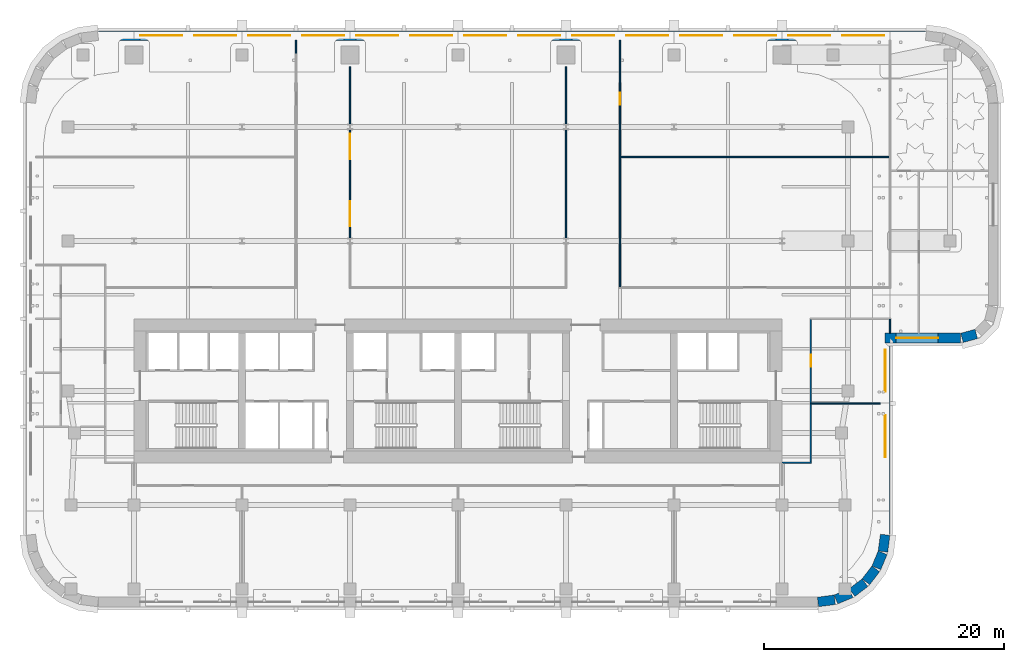
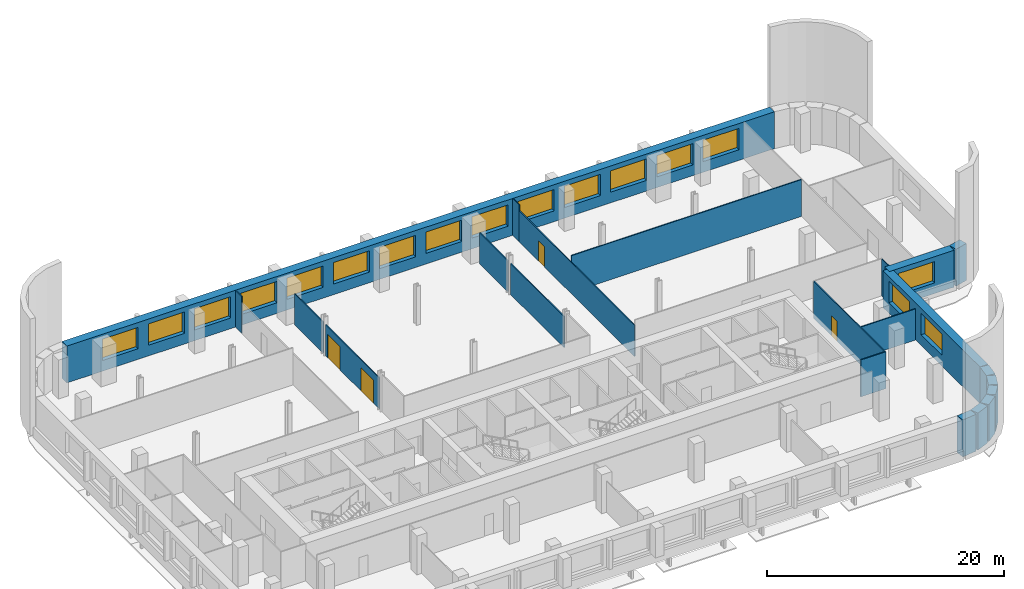
# One storey, part 6 of 13: 22 walls, 17 windows, 4 doors, 21 openings.
"""IFC4 building model written with IfcOpenShell, lengths in metres."""

import ifcopenshell
import ifcopenshell.guid

model = None  # the IFC model being written
_history = None  # IfcOwnerHistory: only IFC2X3 demands one
_inside = {}  # id of a spatial element -> (the spatial element, [elements in it])
_under = {}  # id of a project, library or spatial element -> (it, [spatial elements below it])
_declared = {}  # id of a project -> (the project, [libraries it declares])
_typed = {}  # id of a type object -> (the type object, [elements of that type])
_made_of = {}  # id of a material, layer set ... -> (it, [elements and type objects made of it])


def new_model(schema):
    """Start an empty IFC model of exactly this schema.

    Asked for "IFC4X3", IfcOpenShell would pick the latest addendum, in which some entities
    have other attributes; the version numbers below select the first issue.
    IFC2X3 requires an IfcOwnerHistory on every rooted entity: one is made here for all.
    """
    global model, _history
    if schema == "IFC4X3":
        model = ifcopenshell.file(schema_version=(4, 3, 0, 0))
    else:
        model = ifcopenshell.file(schema=schema)
    _inside.clear()
    _under.clear()
    _declared.clear()
    _typed.clear()
    _made_of.clear()
    _history = None
    if model.schema == "IFC2X3":
        org = make("IfcOrganization", Name="unknown")
        user = make(
            "IfcPersonAndOrganization",
            ThePerson=make("IfcPerson", FamilyName="unknown"),
            TheOrganization=org,
        )
        app = make(
            "IfcApplication",
            ApplicationDeveloper=org,
            Version="unknown",
            ApplicationFullName="unknown",
            ApplicationIdentifier="unknown",
        )
        _history = make(
            "IfcOwnerHistory",
            OwningUser=user,
            OwningApplication=app,
            ChangeAction="ADDED",
            CreationDate=0,
        )
    return model


def make(cls, **values):
    """One entity of the class cls with the attributes given. An attribute that is None is left unset."""
    return model.create_entity(
        cls, **{name: value for name, value in values.items() if value is not None}
    )


def rooted(cls, **values):
    """An entity with a GlobalId (a new one), such as an element, a storey or a relation."""
    return make(cls, GlobalId=ifcopenshell.guid.new(), OwnerHistory=_history, **values)


def si_unit(unit_type, name, prefix=None):
    """IfcSIUnit, for example si_unit("LENGTHUNIT", "METRE", prefix="MILLI")."""
    return make("IfcSIUnit", UnitType=unit_type, Prefix=prefix, Name=name)


def assignment(units):
    """IfcUnitAssignment: the units of a project."""
    return None if units is None else make("IfcUnitAssignment", Units=units)


def point(xyz):
    """IfcCartesianPoint."""
    return None if xyz is None else make("IfcCartesianPoint", Coordinates=xyz)


def direction(xyz):
    """IfcDirection."""
    return None if xyz is None else make("IfcDirection", DirectionRatios=xyz)


def frame(location, z_axis=None, x_axis=None):
    """IfcAxis2Placement3D, a coordinate frame: its origin and axes. An axis left out is left unset."""
    return make(
        "IfcAxis2Placement3D",
        Location=point(location),
        Axis=direction(z_axis),
        RefDirection=direction(x_axis),
    )


def frame_2d(location, x_axis=None):
    """IfcAxis2Placement2D, a coordinate frame in the plane: its origin and x axis."""
    return make(
        "IfcAxis2Placement2D", Location=point(location), RefDirection=direction(x_axis)
    )


def origin():
    """The frame at (0, 0, 0) with its axes left unset."""
    return frame((0.0, 0.0, 0.0))


def place(relative_to, where):
    """IfcLocalPlacement: puts the frame where relative to a parent placement (None: the world)."""
    return make(
        "IfcLocalPlacement", PlacementRelTo=relative_to, RelativePlacement=where
    )


def context(
    kind, dimensions, precision=None, world=None, true_north=None, identifier=None
):
    """IfcGeometricRepresentationContext, for example the 3D "Model" context."""
    return make(
        "IfcGeometricRepresentationContext",
        ContextIdentifier=identifier,
        ContextType=kind,
        CoordinateSpaceDimension=dimensions,
        Precision=precision,
        WorldCoordinateSystem=world,
        TrueNorth=true_north,
    )


def subcontext(parent, identifier, kind, view, scale=None):
    """IfcGeometricRepresentationSubContext, for example "Body" below "Model"."""
    return make(
        "IfcGeometricRepresentationSubContext",
        ContextIdentifier=identifier,
        ContextType=kind,
        ParentContext=parent,
        TargetScale=scale,
        TargetView=view,
    )


def project(units=None, contexts=None):
    """IfcProject with its units and contexts."""
    return rooted(
        "IfcProject",
        Name="project",
        RepresentationContexts=contexts,
        UnitsInContext=assignment(units),
    )


def spatial(cls, under=None, at=None, **own):
    """A site, building, storey or space (cls), placed at a placement, below another one or the project."""
    s = rooted(cls, ObjectPlacement=at, **own)
    if under is not None:
        _under.setdefault(under.id(), (under, []))[1].append(s)
    return s


def profile(cls, at=None, kind="AREA", **sizes):
    """A parametric profile (cls). Its sizes go by their IFC names, for example OverallWidth=200.0."""
    return make(cls, ProfileType=kind, Position=at, **sizes)


def rectangle(**sizes):
    """IfcRectangleProfileDef."""
    return profile("IfcRectangleProfileDef", **sizes)


def extrude(swept, where, along, depth):
    """IfcExtrudedAreaSolid: the profile swept, set in the frame where, extruded along a direction by depth."""
    return make(
        "IfcExtrudedAreaSolid",
        SweptArea=swept,
        Position=where,
        ExtrudedDirection=direction(along),
        Depth=depth,
    )


def shape(context_of_items, identifier, shape_type, items):
    """IfcShapeRepresentation: the items that make up one representation, for example the "Body"."""
    return make(
        "IfcShapeRepresentation",
        ContextOfItems=context_of_items,
        RepresentationIdentifier=identifier,
        RepresentationType=shape_type,
        Items=items,
    )


def material(Name=None, Category=None):
    """IfcMaterial."""
    return make("IfcMaterial", Name=Name, Category=Category)


def layer(
    of_material, thickness, ventilated=None, Name=None, Category=None, Priority=None
):
    """IfcMaterialLayer: one layer of a wall or slab, of a material (None: an air gap)."""
    return make(
        "IfcMaterialLayer",
        Material=of_material,
        LayerThickness=thickness,
        IsVentilated=ventilated,
        Name=Name,
        Category=Category,
        Priority=Priority,
    )


def layer_set(layers, Name=None):
    """IfcMaterialLayerSet."""
    return make("IfcMaterialLayerSet", MaterialLayers=layers, LayerSetName=Name)


def made_of(thing, what):
    """Note that an element or type object is made of a material, layer set ...; save() writes the relation."""
    if what is not None:
        _made_of.setdefault(what.id(), (what, []))[1].append(thing)
    return thing


def type_object(cls, material=None, **own):
    """A type object (cls), such as IfcWallType, which elements share."""
    return made_of(rooted(cls, **own), material)


def element(
    cls,
    number,
    at=None,
    inside=None,
    cuts=None,
    type_object=None,
    material=None,
    context=None,
    identifier="Body",
    shape_type=None,
    held_by="IfcProductDefinitionShape",
    body=None,
    shapes=None,
    **own,
):
    """One element of the class cls, such as IfcWall. Its Tag is "e" and its number.

    at: its placement. inside: the storey or other place that contains it. cuts: it is an
    opening in that element (IfcRelVoidsElement). A single representation is given by context,
    identifier, shape_type and body (its items); several are given by shapes. held_by: the class
    of the entity that holds the representations. save() writes the other relations.
    """
    e = rooted(cls, Tag="e%d" % number, ObjectPlacement=at, **own)
    if body is not None:
        shapes = [shape(context, identifier, shape_type, body)]
    if shapes is not None:
        e.Representation = make(held_by, Representations=shapes)
    if inside is not None:
        _inside.setdefault(inside.id(), (inside, []))[1].append(e)
    if cuts is not None:
        rooted(
            "IfcRelVoidsElement", RelatingBuildingElement=cuts, RelatedOpeningElement=e
        )
    if type_object is not None:
        _typed.setdefault(type_object.id(), (type_object, []))[1].append(e)
    return made_of(e, material)


def fill(opening, filler):
    """IfcRelFillsElement: the door or window that sits in an opening."""
    return rooted(
        "IfcRelFillsElement",
        RelatingOpeningElement=opening,
        RelatedBuildingElement=filler,
    )


def aggregate(whole, parts):
    """IfcRelAggregates: a whole, such as a stair, and the parts it consists of."""
    return rooted("IfcRelAggregates", RelatingObject=whole, RelatedObjects=parts)


def save(model, path):
    """Write the relations noted so far, then the file.

    IfcRelAggregates (storeys below a building ...), IfcRelContainedInSpatialStructure (elements
    in a storey), IfcRelDefinesByType, IfcRelAssociatesMaterial and IfcRelDeclares: one each for
    every whole, place, type object, material and project.
    """
    for whole, parts in _under.values():
        aggregate(whole, parts)
    for where, things in _inside.values():
        rooted(
            "IfcRelContainedInSpatialStructure",
            RelatedElements=things,
            RelatingStructure=where,
        )
    for kind, things in _typed.values():
        rooted("IfcRelDefinesByType", RelatedObjects=things, RelatingType=kind)
    for what, things in _made_of.values():
        rooted("IfcRelAssociatesMaterial", RelatedObjects=things, RelatingMaterial=what)
    for by, libraries in _declared.values():
        rooted("IfcRelDeclares", RelatingContext=by, RelatedDefinitions=libraries)
    model.write(path)


model = new_model("IFC4")

# Units and contexts
model_context = context("Model", 3, precision=1e-05, world=origin(), true_north=direction((0.0, 1.0)))
body_context = subcontext(model_context, "Body", "Model", "MODEL_VIEW")
ifc_project = project(units=[si_unit("LENGTHUNIT", "METRE"), si_unit("AREAUNIT", "SQUARE_METRE"), si_unit("VOLUMEUNIT", "CUBIC_METRE"), si_unit("PLANEANGLEUNIT", "RADIAN"), si_unit("MASSUNIT", "GRAM", prefix="KILO")], contexts=[model_context])

# Site, building, storey
site_placement = place(None, origin())
site = spatial("IfcSite", under=ifc_project, at=site_placement, CompositionType="ELEMENT")
building_placement = place(site_placement, origin())
building = spatial("IfcBuilding", under=site, at=building_placement, Name="Zellij Exchange Tower", CompositionType="ELEMENT")
storey_placement = place(building_placement, frame((0.0, 0.0, 108.5)))
storey = spatial("IfcBuildingStorey", under=building, at=storey_placement, Name="L23", CompositionType="ELEMENT", Elevation=108.5)

# Walls
ifc_material_1 = material(Name="Precast concrete C40/50", Category="concrete")
ifc_layer_1 = layer(ifc_material_1, 0.800048828125)
ifc_layer_set_1 = layer_set([ifc_layer_1], Name="Precast concrete C40/50")
wall_type_1 = type_object("IfcWallType", Name="ENV-EW1 Precast stone-piered wall 800", PredefinedType="SOLIDWALL", material=ifc_layer_set_1)
wall_1_placement = place(storey_placement, frame((29.999755859375, -25.5966796875, 0.0), z_axis=(0.0, 0.0, 1.0), x_axis=(0.99144603414, 0.130517283865, 0.0)))
element("IfcWall", 1, at=wall_1_placement, inside=storey, type_object=wall_type_1, Name="fac.L23.01", PredefinedType="SOLIDWALL", context=body_context, shape_type="SweptSolid", body=[
    extrude(rectangle(XDim=1.408447265625, YDim=0.800048828125, at=frame_2d((0.7041015625, 0.0))), origin(), (0.0, 0.0, 1.0), 3.800048828125),
])
wall_2_placement = place(storey_placement, frame((31.497314453125, -25.3857421875, 0.0), z_axis=(0.0, 0.0, 1.0), x_axis=(0.923847774587, 0.38276009378, 0.0)))
element("IfcWall", 2, at=wall_2_placement, inside=storey, type_object=wall_type_1, Name="fac.L23.02", PredefinedType="SOLIDWALL", context=body_context, shape_type="SweptSolid", body=[
    extrude(rectangle(XDim=1.35546875, YDim=0.800048828125, at=frame_2d((0.677734375, 0.0))), origin(), (0.0, 0.0, 1.0), 3.800048828125),
])
for number, where, z_axis, x_axis, name in (
    (3, (32.840087890625, -24.814697265625, 0.0), (0.0, 0.0, 1.0), (0.793272915452, 0.608866226366, 0.0), "fac.L23.03"),
    (4, (33.9892578125, -23.91552734375, 0.0), (0.0, 0.0, 1.0), (0.608866226366, 0.793272915452, 0.0), "fac.L23.04"),
):
    element("IfcWall", number, at=place(storey_placement, frame(where, z_axis=z_axis, x_axis=x_axis)), inside=storey, type_object=wall_type_1, Name=name, PredefinedType="SOLIDWALL", context=body_context, shape_type="SweptSolid", body=[
        extrude(rectangle(XDim=1.355712890625, YDim=0.800048828125, at=frame_2d((0.677734375, 0.0))), origin(), (0.0, 0.0, 1.0), 3.800048828125),
    ])
wall_3_placement = place(storey_placement, frame((34.866943359375, -22.74951171875, 0.0), z_axis=(0.0, 0.0, 1.0), x_axis=(0.38276009378, 0.923847774587, 0.0)))
element("IfcWall", 5, at=wall_3_placement, inside=storey, type_object=wall_type_1, Name="fac.L23.05", PredefinedType="SOLIDWALL", context=body_context, shape_type="SweptSolid", body=[
    extrude(rectangle(XDim=1.35546875, YDim=0.800048828125, at=frame_2d((0.677734375, 0.0))), origin(), (0.0, 0.0, 1.0), 3.800048828125),
])
wall_4_placement = place(storey_placement, frame((35.412841796875, -21.396240234375, 0.0), z_axis=(0.0, 0.0, 1.0), x_axis=(0.130517283865, 0.99144603414, 0.0)))
element("IfcWall", 6, at=wall_4_placement, inside=storey, type_object=wall_type_1, Name="fac.L23.06", PredefinedType="SOLIDWALL", context=body_context, shape_type="SweptSolid", body=[
    extrude(rectangle(XDim=1.408447265625, YDim=0.800048828125, at=frame_2d((0.7041015625, 0.0))), origin(), (0.0, 0.0, 1.0), 3.800048828125),
])

# Wall, openings, windows
wall_5_placement = place(storey_placement, frame((35.60009765625, -19.947509765625, 0.0), z_axis=(0.0, 0.0, 1.0), x_axis=(0.0, 1.0, 0.0)))
wall_5 = element("IfcWall", 7, at=wall_5_placement, inside=storey, type_object=wall_type_1, Name="fac.L23.07", PredefinedType="SOLIDWALL", context=body_context, shape_type="SweptSolid", body=[
    extrude(rectangle(XDim=16.347412109375, YDim=0.800048828125, at=frame_2d((8.173828125, 0.0))), origin(), (0.0, 0.0, 1.0), 3.800048828125),
])
opening_1_placement = place(wall_5_placement, frame((6.41064453125, 0.0, 1.10009765625)))
opening_1 = element("IfcOpeningElement", 8, at=opening_1_placement, cuts=wall_5, Name="Opening FZ2.13", PredefinedType="OPENING", context=body_context, shape_type="SweptSolid", body=[
    extrude(rectangle(XDim=3.5, YDim=2.199951171875, at=frame_2d((1.75, 1.10009765625))), frame((0.0, 0.412109375, 0.0), z_axis=(0.0, -1.0, 0.0), x_axis=(1.0, 0.0, 0.0)), (0.0, 0.0, 1.0), 0.823974609375),
])
opening_2_placement = place(wall_5_placement, frame((11.86865234375, 0.0, 1.10009765625)))
opening_2 = element("IfcOpeningElement", 9, at=opening_2_placement, cuts=wall_5, Name="Opening FZ2.14", PredefinedType="OPENING", context=body_context, shape_type="SweptSolid", body=[
    extrude(rectangle(XDim=3.5, YDim=2.199951171875, at=frame_2d((1.75, 1.10009765625))), frame((0.0, 0.412109375, 0.0), z_axis=(0.0, -1.0, 0.0), x_axis=(1.0, 0.0, 0.0)), (0.0, 0.0, 1.0), 0.823974609375),
])
ifc_material_2 = material(Name="Aluminium frame with insulating glass", Category="aluminium")
window_type = type_object("IfcWindowType", Name="ENV-W7 Window 3500x2200", PartitioningType="SINGLE_PANEL", PredefinedType="WINDOW", material=ifc_material_2)
window_1_placement = place(opening_1_placement, origin())
window_1 = element("IfcWindow", 10, at=window_1_placement, inside=storey, type_object=window_type, Name="Window FZ2.13", OverallHeight=2.199951171875, OverallWidth=3.5, PartitioningType="SINGLE_PANEL", PredefinedType="WINDOW", context=body_context, shape_type="SweptSolid", body=[
    extrude(rectangle(XDim=3.5, YDim=2.199951171875, at=frame_2d((1.75, 1.10009765625))), frame((0.0, 0.030029296875, 0.0), z_axis=(0.0, -1.0, 0.0), x_axis=(1.0, 0.0, 0.0)), (0.0, 0.0, 1.0), 0.06005859375),
])
fill(opening_1, window_1)
window_2_placement = place(opening_2_placement, origin())
window_2 = element("IfcWindow", 11, at=window_2_placement, inside=storey, type_object=window_type, Name="Window FZ2.14", OverallHeight=2.199951171875, OverallWidth=3.5, PartitioningType="SINGLE_PANEL", PredefinedType="WINDOW", context=body_context, shape_type="SweptSolid", body=[
    extrude(rectangle(XDim=3.5, YDim=2.199951171875, at=frame_2d((1.75, 1.10009765625))), frame((0.0, 0.030029296875, 0.0), z_axis=(0.0, -1.0, 0.0), x_axis=(1.0, 0.0, 0.0)), (0.0, 0.0, 1.0), 0.06005859375),
])
fill(opening_2, window_2)

# Wall, opening, window
wall_6_placement = place(storey_placement, frame((35.60009765625, -3.60009765625, 0.0), z_axis=(0.0, 0.0, 1.0), x_axis=(1.0, 0.0, 0.0)))
wall_6 = element("IfcWall", 12, at=wall_6_placement, inside=storey, type_object=wall_type_1, Name="fac.L23.08", PredefinedType="SOLIDWALL", context=body_context, shape_type="SweptSolid", body=[
    extrude(rectangle(XDim=6.29443359375, YDim=0.800048828125, at=frame_2d((3.147216796875, 0.0))), origin(), (0.0, 0.0, 1.0), 3.800048828125),
])
opening_3_placement = place(wall_6_placement, frame((0.89990234375, 0.0, 1.10009765625)))
opening_3 = element("IfcOpeningElement", 13, at=opening_3_placement, cuts=wall_6, Name="Opening FZ2.15", PredefinedType="OPENING", context=body_context, shape_type="SweptSolid", body=[
    extrude(rectangle(XDim=3.5, YDim=2.199951171875, at=frame_2d((1.75, 1.10009765625))), frame((0.0, 0.412109375, 0.0), z_axis=(0.0, -1.0, 0.0), x_axis=(1.0, 0.0, 0.0)), (0.0, 0.0, 1.0), 0.823974609375),
])
window_3_placement = place(opening_3_placement, origin())
window_3 = element("IfcWindow", 14, at=window_3_placement, inside=storey, type_object=window_type, Name="Window FZ2.15", OverallHeight=2.199951171875, OverallWidth=3.5, PartitioningType="SINGLE_PANEL", PredefinedType="WINDOW", context=body_context, shape_type="SweptSolid", body=[
    extrude(rectangle(XDim=3.5, YDim=2.199951171875, at=frame_2d((1.75, 1.10009765625))), frame((0.0, 0.030029296875, 0.0), z_axis=(0.0, -1.0, 0.0), x_axis=(1.0, 0.0, 0.0)), (0.0, 0.0, 1.0), 0.06005859375),
])
fill(opening_3, window_3)

# Wall
wall_7_placement = place(storey_placement, frame((41.998291015625, -3.58642578125, 0.0), z_axis=(0.0, 0.0, 1.0), x_axis=(0.965892366842, 0.258943885187, 0.0)))
element("IfcWall", 15, at=wall_7_placement, inside=storey, type_object=wall_type_1, Name="fac.L23.09", PredefinedType="SOLIDWALL", context=body_context, shape_type="SweptSolid", body=[
    extrude(rectangle(XDim=1.233154296875, YDim=0.800048828125, at=frame_2d((0.61669921875, 0.0))), origin(), (0.0, 0.0, 1.0), 3.800048828125),
])

# Wall, openings, windows
wall_8_placement = place(storey_placement, frame((38.947509765625, 21.60009765625, 0.0), z_axis=(0.0, 0.0, 1.0), x_axis=(-1.0, 0.0, 0.0)))
wall_8 = element("IfcWall", 16, at=wall_8_placement, inside=storey, type_object=wall_type_1, Name="fac.L23.19", PredefinedType="SOLIDWALL", context=body_context, shape_type="SweptSolid", body=[
    extrude(rectangle(XDim=68.89501953125, YDim=0.800048828125, at=frame_2d((34.447509765625, 0.0))), origin(), (0.0, 0.0, 1.0), 3.800048828125),
])
opening_4_placement = place(wall_8_placement, frame((3.447509765625, 0.0, 1.10009765625)))
opening_4 = element("IfcOpeningElement", 17, at=opening_4_placement, cuts=wall_8, Name="Opening FZ2.17", PredefinedType="OPENING", context=body_context, shape_type="SweptSolid", body=[
    extrude(rectangle(XDim=3.5, YDim=2.199951171875, at=frame_2d((1.75, 1.10009765625))), frame((0.0, 0.412109375, 0.0), z_axis=(0.0, -1.0, 0.0), x_axis=(1.0, 0.0, 0.0)), (0.0, 0.0, 1.0), 0.823974609375),
])
opening_5_placement = place(wall_8_placement, frame((7.947509765625, 0.0, 1.10009765625)))
opening_5 = element("IfcOpeningElement", 18, at=opening_5_placement, cuts=wall_8, Name="Opening FZ2.18", PredefinedType="OPENING", context=body_context, shape_type="SweptSolid", body=[
    extrude(rectangle(XDim=3.5, YDim=2.199951171875, at=frame_2d((1.75, 1.10009765625))), frame((0.0, 0.412109375, 0.0), z_axis=(0.0, -1.0, 0.0), x_axis=(1.0, 0.0, 0.0)), (0.0, 0.0, 1.0), 0.823974609375),
])
opening_6_placement = place(wall_8_placement, frame((12.447509765625, 0.0, 1.10009765625)))
opening_6 = element("IfcOpeningElement", 19, at=opening_6_placement, cuts=wall_8, Name="Opening FZ2.19", PredefinedType="OPENING", context=body_context, shape_type="SweptSolid", body=[
    extrude(rectangle(XDim=3.5, YDim=2.199951171875, at=frame_2d((1.75, 1.10009765625))), frame((0.0, 0.412109375, 0.0), z_axis=(0.0, -1.0, 0.0), x_axis=(1.0, 0.0, 0.0)), (0.0, 0.0, 1.0), 0.823974609375),
])
opening_7_placement = place(wall_8_placement, frame((16.947509765625, 0.0, 1.10009765625)))
opening_7 = element("IfcOpeningElement", 20, at=opening_7_placement, cuts=wall_8, Name="Opening FZ2.20", PredefinedType="OPENING", context=body_context, shape_type="SweptSolid", body=[
    extrude(rectangle(XDim=3.5, YDim=2.199951171875, at=frame_2d((1.75, 1.10009765625))), frame((0.0, 0.412109375, 0.0), z_axis=(0.0, -1.0, 0.0), x_axis=(1.0, 0.0, 0.0)), (0.0, 0.0, 1.0), 0.823974609375),
])
opening_8_placement = place(wall_8_placement, frame((21.447509765625, 0.0, 1.10009765625)))
opening_8 = element("IfcOpeningElement", 21, at=opening_8_placement, cuts=wall_8, Name="Opening FZ2.21", PredefinedType="OPENING", context=body_context, shape_type="SweptSolid", body=[
    extrude(rectangle(XDim=3.5, YDim=2.199951171875, at=frame_2d((1.75, 1.10009765625))), frame((0.0, 0.412109375, 0.0), z_axis=(0.0, -1.0, 0.0), x_axis=(1.0, 0.0, 0.0)), (0.0, 0.0, 1.0), 0.823974609375),
])
opening_9_placement = place(wall_8_placement, frame((25.947509765625, 0.0, 1.10009765625)))
opening_9 = element("IfcOpeningElement", 22, at=opening_9_placement, cuts=wall_8, Name="Opening FZ2.22", PredefinedType="OPENING", context=body_context, shape_type="SweptSolid", body=[
    extrude(rectangle(XDim=3.5, YDim=2.199951171875, at=frame_2d((1.75, 1.10009765625))), frame((0.0, 0.412109375, 0.0), z_axis=(0.0, -1.0, 0.0), x_axis=(1.0, 0.0, 0.0)), (0.0, 0.0, 1.0), 0.823974609375),
])
opening_10_placement = place(wall_8_placement, frame((30.447509765625, 0.0, 1.10009765625)))
opening_10 = element("IfcOpeningElement", 23, at=opening_10_placement, cuts=wall_8, Name="Opening FZ2.23", PredefinedType="OPENING", context=body_context, shape_type="SweptSolid", body=[
    extrude(rectangle(XDim=3.5, YDim=2.199951171875, at=frame_2d((1.75, 1.10009765625))), frame((0.0, 0.412109375, 0.0), z_axis=(0.0, -1.0, 0.0), x_axis=(1.0, 0.0, 0.0)), (0.0, 0.0, 1.0), 0.823974609375),
])
opening_11_placement = place(wall_8_placement, frame((34.947509765625, 0.0, 1.10009765625)))
opening_11 = element("IfcOpeningElement", 24, at=opening_11_placement, cuts=wall_8, Name="Opening FZ2.24", PredefinedType="OPENING", context=body_context, shape_type="SweptSolid", body=[
    extrude(rectangle(XDim=3.5, YDim=2.199951171875, at=frame_2d((1.75, 1.10009765625))), frame((0.0, 0.412109375, 0.0), z_axis=(0.0, -1.0, 0.0), x_axis=(1.0, 0.0, 0.0)), (0.0, 0.0, 1.0), 0.823974609375),
])
opening_12_placement = place(wall_8_placement, frame((39.447509765625, 0.0, 1.10009765625)))
opening_12 = element("IfcOpeningElement", 25, at=opening_12_placement, cuts=wall_8, Name="Opening FZ2.25", PredefinedType="OPENING", context=body_context, shape_type="SweptSolid", body=[
    extrude(rectangle(XDim=3.5, YDim=2.199951171875, at=frame_2d((1.75, 1.10009765625))), frame((0.0, 0.412109375, 0.0), z_axis=(0.0, -1.0, 0.0), x_axis=(1.0, 0.0, 0.0)), (0.0, 0.0, 1.0), 0.823974609375),
])
opening_13_placement = place(wall_8_placement, frame((43.947509765625, 0.0, 1.10009765625)))
opening_13 = element("IfcOpeningElement", 26, at=opening_13_placement, cuts=wall_8, Name="Opening FZ2.26", PredefinedType="OPENING", context=body_context, shape_type="SweptSolid", body=[
    extrude(rectangle(XDim=3.5, YDim=2.199951171875, at=frame_2d((1.75, 1.10009765625))), frame((0.0, 0.412109375, 0.0), z_axis=(0.0, -1.0, 0.0), x_axis=(1.0, 0.0, 0.0)), (0.0, 0.0, 1.0), 0.823974609375),
])
opening_14_placement = place(wall_8_placement, frame((48.447509765625, 0.0, 1.10009765625)))
opening_14 = element("IfcOpeningElement", 27, at=opening_14_placement, cuts=wall_8, Name="Opening FZ2.27", PredefinedType="OPENING", context=body_context, shape_type="SweptSolid", body=[
    extrude(rectangle(XDim=3.5, YDim=2.199951171875, at=frame_2d((1.75, 1.10009765625))), frame((0.0, 0.412109375, 0.0), z_axis=(0.0, -1.0, 0.0), x_axis=(1.0, 0.0, 0.0)), (0.0, 0.0, 1.0), 0.823974609375),
])
opening_15_placement = place(wall_8_placement, frame((52.947509765625, 0.0, 1.10009765625)))
opening_15 = element("IfcOpeningElement", 28, at=opening_15_placement, cuts=wall_8, Name="Opening FZ2.28", PredefinedType="OPENING", context=body_context, shape_type="SweptSolid", body=[
    extrude(rectangle(XDim=3.5, YDim=2.199951171875, at=frame_2d((1.75, 1.10009765625))), frame((0.0, 0.412109375, 0.0), z_axis=(0.0, -1.0, 0.0), x_axis=(1.0, 0.0, 0.0)), (0.0, 0.0, 1.0), 0.823974609375),
])
opening_16_placement = place(wall_8_placement, frame((57.447509765625, 0.0, 1.10009765625)))
opening_16 = element("IfcOpeningElement", 29, at=opening_16_placement, cuts=wall_8, Name="Opening FZ2.29", PredefinedType="OPENING", context=body_context, shape_type="SweptSolid", body=[
    extrude(rectangle(XDim=3.5, YDim=2.199951171875, at=frame_2d((1.75, 1.10009765625))), frame((0.0, 0.412109375, 0.0), z_axis=(0.0, -1.0, 0.0), x_axis=(1.0, 0.0, 0.0)), (0.0, 0.0, 1.0), 0.823974609375),
])
opening_17_placement = place(wall_8_placement, frame((61.947509765625, 0.0, 1.10009765625)))
opening_17 = element("IfcOpeningElement", 30, at=opening_17_placement, cuts=wall_8, Name="Opening FZ2.30", PredefinedType="OPENING", context=body_context, shape_type="SweptSolid", body=[
    extrude(rectangle(XDim=3.5, YDim=2.199951171875, at=frame_2d((1.75, 1.10009765625))), frame((0.0, 0.412109375, 0.0), z_axis=(0.0, -1.0, 0.0), x_axis=(1.0, 0.0, 0.0)), (0.0, 0.0, 1.0), 0.823974609375),
])
window_4_placement = place(opening_4_placement, origin())
window_4 = element("IfcWindow", 31, at=window_4_placement, inside=storey, type_object=window_type, Name="Window FZ2.17", OverallHeight=2.199951171875, OverallWidth=3.5, PartitioningType="SINGLE_PANEL", PredefinedType="WINDOW", context=body_context, shape_type="SweptSolid", body=[
    extrude(rectangle(XDim=3.5, YDim=2.199951171875, at=frame_2d((1.75, 1.10009765625))), frame((0.0, 0.030029296875, 0.0), z_axis=(0.0, -1.0, 0.0), x_axis=(1.0, 0.0, 0.0)), (0.0, 0.0, 1.0), 0.06005859375),
])
fill(opening_4, window_4)
window_5_placement = place(opening_5_placement, origin())
window_5 = element("IfcWindow", 32, at=window_5_placement, inside=storey, type_object=window_type, Name="Window FZ2.18", OverallHeight=2.199951171875, OverallWidth=3.5, PartitioningType="SINGLE_PANEL", PredefinedType="WINDOW", context=body_context, shape_type="SweptSolid", body=[
    extrude(rectangle(XDim=3.5, YDim=2.199951171875, at=frame_2d((1.75, 1.10009765625))), frame((0.0, 0.030029296875, 0.0), z_axis=(0.0, -1.0, 0.0), x_axis=(1.0, 0.0, 0.0)), (0.0, 0.0, 1.0), 0.06005859375),
])
fill(opening_5, window_5)
window_6_placement = place(opening_6_placement, origin())
window_6 = element("IfcWindow", 33, at=window_6_placement, inside=storey, type_object=window_type, Name="Window FZ2.19", OverallHeight=2.199951171875, OverallWidth=3.5, PartitioningType="SINGLE_PANEL", PredefinedType="WINDOW", context=body_context, shape_type="SweptSolid", body=[
    extrude(rectangle(XDim=3.5, YDim=2.199951171875, at=frame_2d((1.75, 1.10009765625))), frame((0.0, 0.030029296875, 0.0), z_axis=(0.0, -1.0, 0.0), x_axis=(1.0, 0.0, 0.0)), (0.0, 0.0, 1.0), 0.06005859375),
])
fill(opening_6, window_6)
window_7_placement = place(opening_7_placement, origin())
window_7 = element("IfcWindow", 34, at=window_7_placement, inside=storey, type_object=window_type, Name="Window FZ2.20", OverallHeight=2.199951171875, OverallWidth=3.5, PartitioningType="SINGLE_PANEL", PredefinedType="WINDOW", context=body_context, shape_type="SweptSolid", body=[
    extrude(rectangle(XDim=3.5, YDim=2.199951171875, at=frame_2d((1.75, 1.10009765625))), frame((0.0, 0.030029296875, 0.0), z_axis=(0.0, -1.0, 0.0), x_axis=(1.0, 0.0, 0.0)), (0.0, 0.0, 1.0), 0.06005859375),
])
fill(opening_7, window_7)
window_8_placement = place(opening_8_placement, origin())
window_8 = element("IfcWindow", 35, at=window_8_placement, inside=storey, type_object=window_type, Name="Window FZ2.21", OverallHeight=2.199951171875, OverallWidth=3.5, PartitioningType="SINGLE_PANEL", PredefinedType="WINDOW", context=body_context, shape_type="SweptSolid", body=[
    extrude(rectangle(XDim=3.5, YDim=2.199951171875, at=frame_2d((1.75, 1.10009765625))), frame((0.0, 0.030029296875, 0.0), z_axis=(0.0, -1.0, 0.0), x_axis=(1.0, 0.0, 0.0)), (0.0, 0.0, 1.0), 0.06005859375),
])
fill(opening_8, window_8)
window_9_placement = place(opening_9_placement, origin())
window_9 = element("IfcWindow", 36, at=window_9_placement, inside=storey, type_object=window_type, Name="Window FZ2.22", OverallHeight=2.199951171875, OverallWidth=3.5, PartitioningType="SINGLE_PANEL", PredefinedType="WINDOW", context=body_context, shape_type="SweptSolid", body=[
    extrude(rectangle(XDim=3.5, YDim=2.199951171875, at=frame_2d((1.75, 1.10009765625))), frame((0.0, 0.030029296875, 0.0), z_axis=(0.0, -1.0, 0.0), x_axis=(1.0, 0.0, 0.0)), (0.0, 0.0, 1.0), 0.06005859375),
])
fill(opening_9, window_9)
window_10_placement = place(opening_10_placement, origin())
window_10 = element("IfcWindow", 37, at=window_10_placement, inside=storey, type_object=window_type, Name="Window FZ2.23", OverallHeight=2.199951171875, OverallWidth=3.5, PartitioningType="SINGLE_PANEL", PredefinedType="WINDOW", context=body_context, shape_type="SweptSolid", body=[
    extrude(rectangle(XDim=3.5, YDim=2.199951171875, at=frame_2d((1.75, 1.10009765625))), frame((0.0, 0.030029296875, 0.0), z_axis=(0.0, -1.0, 0.0), x_axis=(1.0, 0.0, 0.0)), (0.0, 0.0, 1.0), 0.06005859375),
])
fill(opening_10, window_10)
window_11_placement = place(opening_11_placement, origin())
window_11 = element("IfcWindow", 38, at=window_11_placement, inside=storey, type_object=window_type, Name="Window FZ2.24", OverallHeight=2.199951171875, OverallWidth=3.5, PartitioningType="SINGLE_PANEL", PredefinedType="WINDOW", context=body_context, shape_type="SweptSolid", body=[
    extrude(rectangle(XDim=3.5, YDim=2.199951171875, at=frame_2d((1.75, 1.10009765625))), frame((0.0, 0.030029296875, 0.0), z_axis=(0.0, -1.0, 0.0), x_axis=(1.0, 0.0, 0.0)), (0.0, 0.0, 1.0), 0.06005859375),
])
fill(opening_11, window_11)
window_12_placement = place(opening_12_placement, origin())
window_12 = element("IfcWindow", 39, at=window_12_placement, inside=storey, type_object=window_type, Name="Window FZ2.25", OverallHeight=2.199951171875, OverallWidth=3.5, PartitioningType="SINGLE_PANEL", PredefinedType="WINDOW", context=body_context, shape_type="SweptSolid", body=[
    extrude(rectangle(XDim=3.5, YDim=2.199951171875, at=frame_2d((1.75, 1.10009765625))), frame((0.0, 0.030029296875, 0.0), z_axis=(0.0, -1.0, 0.0), x_axis=(1.0, 0.0, 0.0)), (0.0, 0.0, 1.0), 0.06005859375),
])
fill(opening_12, window_12)
window_13_placement = place(opening_13_placement, origin())
window_13 = element("IfcWindow", 40, at=window_13_placement, inside=storey, type_object=window_type, Name="Window FZ2.26", OverallHeight=2.199951171875, OverallWidth=3.5, PartitioningType="SINGLE_PANEL", PredefinedType="WINDOW", context=body_context, shape_type="SweptSolid", body=[
    extrude(rectangle(XDim=3.5, YDim=2.199951171875, at=frame_2d((1.75, 1.10009765625))), frame((0.0, 0.030029296875, 0.0), z_axis=(0.0, -1.0, 0.0), x_axis=(1.0, 0.0, 0.0)), (0.0, 0.0, 1.0), 0.06005859375),
])
fill(opening_13, window_13)
window_14_placement = place(opening_14_placement, origin())
window_14 = element("IfcWindow", 41, at=window_14_placement, inside=storey, type_object=window_type, Name="Window FZ2.27", OverallHeight=2.199951171875, OverallWidth=3.5, PartitioningType="SINGLE_PANEL", PredefinedType="WINDOW", context=body_context, shape_type="SweptSolid", body=[
    extrude(rectangle(XDim=3.5, YDim=2.199951171875, at=frame_2d((1.75, 1.10009765625))), frame((0.0, 0.030029296875, 0.0), z_axis=(0.0, -1.0, 0.0), x_axis=(1.0, 0.0, 0.0)), (0.0, 0.0, 1.0), 0.06005859375),
])
fill(opening_14, window_14)
window_15_placement = place(opening_15_placement, origin())
window_15 = element("IfcWindow", 42, at=window_15_placement, inside=storey, type_object=window_type, Name="Window FZ2.28", OverallHeight=2.199951171875, OverallWidth=3.5, PartitioningType="SINGLE_PANEL", PredefinedType="WINDOW", context=body_context, shape_type="SweptSolid", body=[
    extrude(rectangle(XDim=3.5, YDim=2.199951171875, at=frame_2d((1.75, 1.10009765625))), frame((0.0, 0.030029296875, 0.0), z_axis=(0.0, -1.0, 0.0), x_axis=(1.0, 0.0, 0.0)), (0.0, 0.0, 1.0), 0.06005859375),
])
fill(opening_15, window_15)
window_16_placement = place(opening_16_placement, origin())
window_16 = element("IfcWindow", 43, at=window_16_placement, inside=storey, type_object=window_type, Name="Window FZ2.29", OverallHeight=2.199951171875, OverallWidth=3.5, PartitioningType="SINGLE_PANEL", PredefinedType="WINDOW", context=body_context, shape_type="SweptSolid", body=[
    extrude(rectangle(XDim=3.5, YDim=2.199951171875, at=frame_2d((1.75, 1.10009765625))), frame((0.0, 0.030029296875, 0.0), z_axis=(0.0, -1.0, 0.0), x_axis=(1.0, 0.0, 0.0)), (0.0, 0.0, 1.0), 0.06005859375),
])
fill(opening_16, window_16)
window_17_placement = place(opening_17_placement, origin())
window_17 = element("IfcWindow", 44, at=window_17_placement, inside=storey, type_object=window_type, Name="Window FZ2.30", OverallHeight=2.199951171875, OverallWidth=3.5, PartitioningType="SINGLE_PANEL", PredefinedType="WINDOW", context=body_context, shape_type="SweptSolid", body=[
    extrude(rectangle(XDim=3.5, YDim=2.199951171875, at=frame_2d((1.75, 1.10009765625))), frame((0.0, 0.030029296875, 0.0), z_axis=(0.0, -1.0, 0.0), x_axis=(1.0, 0.0, 0.0)), (0.0, 0.0, 1.0), 0.06005859375),
])
fill(opening_17, window_17)

# Wall
ifc_material_3 = material(Name="Gypsum board partition on steel studs", Category="steel")
ifc_layer_2 = layer(ifc_material_3, 0.10009765625)
ifc_layer_set_2 = layer_set([ifc_layer_2], Name="Gypsum board partition on steel studs")
wall_type_2 = type_object("IfcWallType", Name="FIT-PARTITION-100", PredefinedType="PARTITIONING", material=ifc_layer_set_2)
wall_9_placement = place(storey_placement, frame((27.0, -14.0, 0.0), z_axis=(0.0, 0.0, 1.0), x_axis=(1.0, 0.0, 0.0)))
element("IfcWall", 45, at=wall_9_placement, inside=storey, type_object=wall_type_2, Name="FIT-PARTITION-100 012", PredefinedType="PARTITIONING", context=body_context, shape_type="SweptSolid", body=[
    extrude(rectangle(XDim=2.449951171875, YDim=0.10009765625, at=frame_2d((1.22509765625, 0.0))), origin(), (0.0, 0.0, 1.0), 3.800048828125),
])

# Wall, opening, door
wall_10_placement = place(storey_placement, frame((29.39990234375, -13.949951171875, 0.0), z_axis=(0.0, 0.0, 1.0), x_axis=(0.0, 1.0, 0.0)))
wall_10 = element("IfcWall", 46, at=wall_10_placement, inside=storey, type_object=wall_type_2, Name="FIT-PARTITION-100 013", PredefinedType="PARTITIONING", context=body_context, shape_type="SweptSolid", body=[
    extrude(rectangle(XDim=11.89990234375, YDim=0.10009765625, at=frame_2d((5.949951171875, 0.0))), origin(), (0.0, 0.0, 1.0), 3.800048828125),
])
opening_18_placement = place(wall_10_placement, frame((7.93994140625, 0.0, 0.0)))
opening_18 = element("IfcOpeningElement", 47, at=opening_18_placement, cuts=wall_10, Name="Opening TE.06", PredefinedType="OPENING", context=body_context, shape_type="SweptSolid", body=[
    extrude(rectangle(XDim=1.0, YDim=2.10009765625, at=frame_2d((0.5, 1.050048828125))), frame((0.0, 0.06201171875, 0.0), z_axis=(0.0, -1.0, 0.0), x_axis=(1.0, 0.0, 0.0)), (0.0, 0.0, 1.0), 0.1240234375),
])
ifc_material_4 = material(Name="Timber door set", Category="wood")
door_type_1 = type_object("IfcDoorType", Name="FIT-D2-WIDE-1000X2100", OperationType="SINGLE_SWING_LEFT", PredefinedType="DOOR", material=ifc_material_4)
door_1_placement = place(opening_18_placement, origin())
door_1 = element("IfcDoor", 48, at=door_1_placement, inside=storey, type_object=door_type_1, Name="Door TE.06", OperationType="SINGLE_SWING_RIGHT", OverallHeight=2.10009765625, OverallWidth=1.0, PredefinedType="DOOR", context=body_context, shape_type="SweptSolid", body=[
    extrude(rectangle(XDim=1.0, YDim=2.10009765625, at=frame_2d((0.5, 1.050048828125))), frame((0.0, 0.02490234375, 0.0), z_axis=(0.0, -1.0, 0.0), x_axis=(1.0, 0.0, 0.0)), (0.0, 0.0, 1.0), 0.050048828125),
])
fill(opening_18, door_1)

# Walls
wall_11_placement = place(storey_placement, frame((29.449951171875, -9.06005859375, 0.0), z_axis=(0.0, 0.0, 1.0), x_axis=(1.0, 0.0, 0.0)))
element("IfcWall", 49, at=wall_11_placement, inside=storey, type_object=wall_type_2, Name="FIT-PARTITION-100 017", PredefinedType="PARTITIONING", context=body_context, shape_type="SweptSolid", body=[
    extrude(rectangle(XDim=5.75, YDim=0.10009765625, at=frame_2d((2.875, 0.0))), origin(), (0.0, 0.0, 1.0), 3.197998046875),
])
wall_12_placement = place(storey_placement, frame((36.0, -3.199951171875, 0.0), z_axis=(0.0, 0.0, 1.0), x_axis=(0.0, 1.0, 0.0)))
element("IfcWall", 50, at=wall_12_placement, inside=storey, type_object=wall_type_2, Name="FIT-PARTITION-100 019", PredefinedType="PARTITIONING", context=body_context, shape_type="SweptSolid", body=[
    extrude(rectangle(XDim=1.14990234375, YDim=0.10009765625, at=frame_2d((0.574951171875, 0.0))), origin(), (0.0, 0.0, 1.0), 3.800048828125),
])
wall_13_placement = place(storey_placement, frame((-13.5, 20.114501953125, 0.0), z_axis=(0.0, 0.0, 1.0), x_axis=(0.0, 1.0, 0.0)))
element("IfcWall", 51, at=wall_13_placement, inside=storey, type_object=wall_type_2, Name="FIT-PARTITION-100 025", PredefinedType="PARTITIONING", context=body_context, shape_type="SweptSolid", body=[
    extrude(rectangle(XDim=1.08544921875, YDim=0.10009765625, at=frame_2d((0.542724609375, 0.0))), origin(), (0.0, 0.0, 1.0), 3.800048828125),
])

# Wall, openings, doors
wall_14_placement = place(storey_placement, frame((-9.0, 4.727294921875, 0.0), z_axis=(0.0, 0.0, 1.0), x_axis=(0.0, 1.0, 0.0)))
wall_14 = element("IfcWall", 52, at=wall_14_placement, inside=storey, type_object=wall_type_2, Name="FIT-PARTITION-100 028", PredefinedType="PARTITIONING", context=body_context, shape_type="SweptSolid", body=[
    extrude(rectangle(XDim=9.04541015625, YDim=0.10009765625, at=frame_2d((4.522705078125, 0.0))), origin(), (0.0, 0.0, 1.0), 3.18798828125),
])
opening_19_placement = place(wall_14_placement, frame((0.97265625, 0.0, 0.0)))
opening_19 = element("IfcOpeningElement", 53, at=opening_19_placement, cuts=wall_14, Name="Opening TE.13", PredefinedType="OPENING", context=body_context, shape_type="SweptSolid", body=[
    extrude(rectangle(XDim=2.10009765625, YDim=2.39990234375, at=frame_2d((1.050048828125, 1.199951171875))), frame((0.0, 0.06201171875, 0.0), z_axis=(0.0, -1.0, 0.0), x_axis=(1.0, 0.0, 0.0)), (0.0, 0.0, 1.0), 0.1240234375),
])
opening_20_placement = place(wall_14_placement, frame((6.57275390625, 0.0, 0.0)))
opening_20 = element("IfcOpeningElement", 54, at=opening_20_placement, cuts=wall_14, Name="Opening TE.15", PredefinedType="OPENING", context=body_context, shape_type="SweptSolid", body=[
    extrude(rectangle(XDim=2.10009765625, YDim=2.39990234375, at=frame_2d((1.050048828125, 1.199951171875))), frame((0.0, 0.06201171875, 0.0), z_axis=(0.0, -1.0, 0.0), x_axis=(1.0, 0.0, 0.0)), (0.0, 0.0, 1.0), 0.1240234375),
])
door_type_2 = type_object("IfcDoorType", Name="FIT-D7-ASSEMBLY-2100X2400", OperationType="DOUBLE_DOOR_SINGLE_SWING", PredefinedType="DOOR", material=ifc_material_4)
door_2_placement = place(opening_19_placement, origin())
door_2 = element("IfcDoor", 55, at=door_2_placement, inside=storey, type_object=door_type_2, Name="Door TE.13", OperationType="DOUBLE_DOOR_SINGLE_SWING", OverallHeight=2.39990234375, OverallWidth=2.10009765625, PredefinedType="DOOR", context=body_context, shape_type="SweptSolid", body=[
    extrude(rectangle(XDim=2.10009765625, YDim=2.39990234375, at=frame_2d((1.050048828125, 1.199951171875))), frame((0.0, 0.02490234375, 0.0), z_axis=(0.0, -1.0, 0.0), x_axis=(1.0, 0.0, 0.0)), (0.0, 0.0, 1.0), 0.050048828125),
])
fill(opening_19, door_2)
door_3_placement = place(opening_20_placement, origin())
door_3 = element("IfcDoor", 56, at=door_3_placement, inside=storey, type_object=door_type_2, Name="Door TE.15", OperationType="DOUBLE_DOOR_SINGLE_SWING", OverallHeight=2.39990234375, OverallWidth=2.10009765625, PredefinedType="DOOR", context=body_context, shape_type="SweptSolid", body=[
    extrude(rectangle(XDim=2.10009765625, YDim=2.39990234375, at=frame_2d((1.050048828125, 1.199951171875))), frame((0.0, 0.02490234375, 0.0), z_axis=(0.0, -1.0, 0.0), x_axis=(1.0, 0.0, 0.0)), (0.0, 0.0, 1.0), 0.050048828125),
])
fill(opening_20, door_3)

# Walls
wall_15_placement = place(storey_placement, frame((-9.0, 14.227294921875, 0.0), z_axis=(0.0, 0.0, 1.0), x_axis=(0.0, 1.0, 0.0)))
element("IfcWall", 57, at=wall_15_placement, inside=storey, type_object=wall_type_2, Name="FIT-PARTITION-100 029", PredefinedType="PARTITIONING", context=body_context, shape_type="SweptSolid", body=[
    extrude(rectangle(XDim=4.792724609375, YDim=0.10009765625, at=frame_2d((2.396484375, 0.0))), origin(), (0.0, 0.0, 1.0), 3.18798828125),
])
wall_16_placement = place(storey_placement, frame((9.0, 4.727294921875, 0.0), z_axis=(0.0, 0.0, 1.0), x_axis=(0.0, 1.0, 0.0)))
element("IfcWall", 58, at=wall_16_placement, inside=storey, type_object=wall_type_2, Name="FIT-PARTITION-100 031", PredefinedType="PARTITIONING", context=body_context, shape_type="SweptSolid", body=[
    extrude(rectangle(XDim=9.04541015625, YDim=0.10009765625, at=frame_2d((4.522705078125, 0.0))), origin(), (0.0, 0.0, 1.0), 3.18798828125),
])
wall_17_placement = place(storey_placement, frame((9.0, 14.227294921875, 0.0), z_axis=(0.0, 0.0, 1.0), x_axis=(0.0, 1.0, 0.0)))
element("IfcWall", 59, at=wall_17_placement, inside=storey, type_object=wall_type_2, Name="FIT-PARTITION-100 032", PredefinedType="PARTITIONING", context=body_context, shape_type="SweptSolid", body=[
    extrude(rectangle(XDim=4.792724609375, YDim=0.10009765625, at=frame_2d((2.396484375, 0.0))), origin(), (0.0, 0.0, 1.0), 3.18798828125),
])

# Wall, opening, door
wall_18_placement = place(storey_placement, frame((13.5, 0.64990234375, 0.0), z_axis=(0.0, 0.0, 1.0), x_axis=(0.0, 1.0, 0.0)))
wall_18 = element("IfcWall", 60, at=wall_18_placement, inside=storey, type_object=wall_type_2, Name="FIT-PARTITION-100 034", PredefinedType="PARTITIONING", context=body_context, shape_type="SweptSolid", body=[
    extrude(rectangle(XDim=19.464599609375, YDim=0.10009765625, at=frame_2d((9.732421875, 0.0))), origin(), (0.0, 0.0, 1.0), 3.197998046875),
])
opening_21_placement = place(wall_18_placement, frame((15.179931640625, 0.0, 0.0)))
opening_21 = element("IfcOpeningElement", 61, at=opening_21_placement, cuts=wall_18, Name="Opening TE.17", PredefinedType="OPENING", context=body_context, shape_type="SweptSolid", body=[
    extrude(rectangle(XDim=1.0, YDim=2.10009765625, at=frame_2d((0.5, 1.050048828125))), frame((0.0, 0.06201171875, 0.0), z_axis=(0.0, -1.0, 0.0), x_axis=(1.0, 0.0, 0.0)), (0.0, 0.0, 1.0), 0.1240234375),
])
door_4_placement = place(opening_21_placement, origin())
door_4 = element("IfcDoor", 62, at=door_4_placement, inside=storey, type_object=door_type_1, Name="Door TE.17", OperationType="SINGLE_SWING_LEFT", OverallHeight=2.10009765625, OverallWidth=1.0, PredefinedType="DOOR", context=body_context, shape_type="SweptSolid", body=[
    extrude(rectangle(XDim=1.0, YDim=2.10009765625, at=frame_2d((0.5, 1.050048828125))), frame((0.0, 0.02490234375, 0.0), z_axis=(0.0, -1.0, 0.0), x_axis=(1.0, 0.0, 0.0)), (0.0, 0.0, 1.0), 0.050048828125),
])
fill(opening_21, door_4)

# Walls
wall_19_placement = place(storey_placement, frame((13.5, 20.114501953125, 0.0), z_axis=(0.0, 0.0, 1.0), x_axis=(0.0, 1.0, 0.0)))
element("IfcWall", 63, at=wall_19_placement, inside=storey, type_object=wall_type_2, Name="FIT-PARTITION-100 035", PredefinedType="PARTITIONING", context=body_context, shape_type="SweptSolid", body=[
    extrude(rectangle(XDim=1.08544921875, YDim=0.10009765625, at=frame_2d((0.542724609375, 0.0))), origin(), (0.0, 0.0, 1.0), 3.800048828125),
])
wall_20_placement = place(storey_placement, frame((13.550048828125, 11.47998046875, 0.0), z_axis=(0.0, 0.0, 1.0), x_axis=(1.0, 0.0, 0.0)))
element("IfcWall", 64, at=wall_20_placement, inside=storey, type_object=wall_type_2, Name="FIT-PARTITION-100 040", PredefinedType="PARTITIONING", context=body_context, shape_type="SweptSolid", body=[
    extrude(rectangle(XDim=22.39990234375, YDim=0.10009765625, at=frame_2d((11.199951171875, 0.0))), origin(), (0.0, 0.0, 1.0), 3.800048828125),
])

save(model, "model.ifc")
